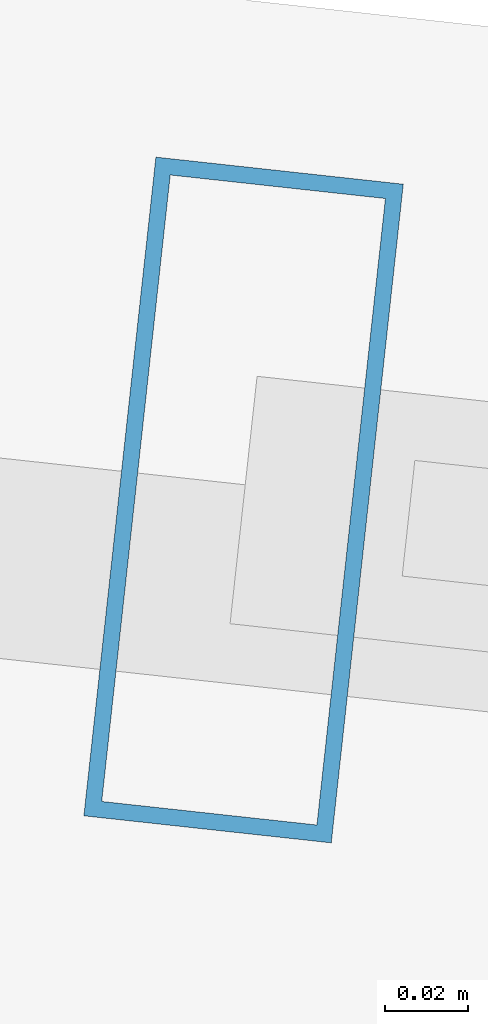
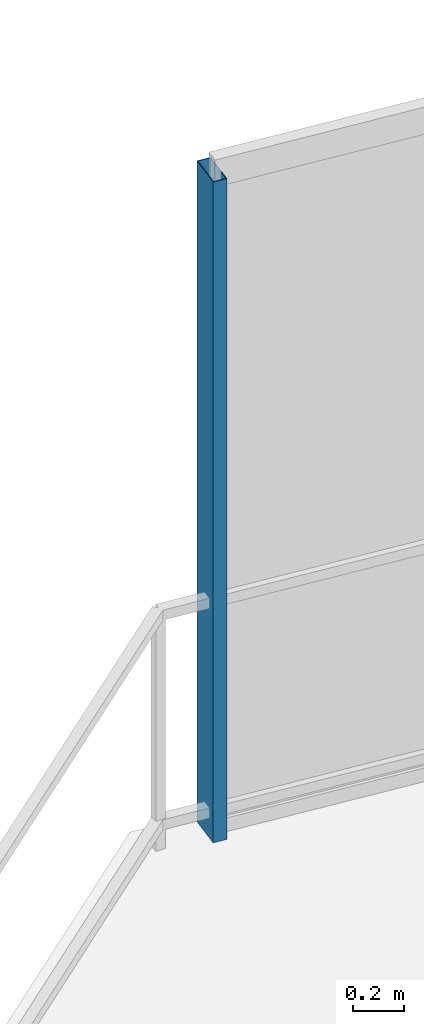
# One storey, part 16 of 28: 1 member, 1 element without a shape of its own.
"""IFC4 building model written with IfcOpenShell, lengths in metres."""

from ifc_helpers import new_model, si_unit, direction, frame, origin, origin_2d, place, context, subcontext, project, spatial, hollow_rectangle, extrude, material, layer, layer_set, material_profile, profile_set, type_object, element, aggregate, save


model = new_model("IFC4")

# Units and contexts
model_context = context("Model", 3, precision=1e-05, world=origin(), true_north=direction((0.0, 1.0)))
body_context = subcontext(model_context, "Body", "Model", "MODEL_VIEW")
ifc_project = project(units=[si_unit("LENGTHUNIT", "METRE"), si_unit("AREAUNIT", "SQUARE_METRE"), si_unit("VOLUMEUNIT", "CUBIC_METRE"), si_unit("PLANEANGLEUNIT", "RADIAN"), si_unit("MASSUNIT", "GRAM", prefix="KILO")], contexts=[model_context])

# Site, building, storey
site_placement = place(None, origin())
site = spatial("IfcSite", under=ifc_project, at=site_placement, CompositionType="ELEMENT")
building_placement = place(site_placement, origin())
building = spatial("IfcBuilding", under=site, at=building_placement, Name="Qarnah Convention Tower", CompositionType="ELEMENT")
storey_placement = place(building_placement, frame((0.0, 0.0, 44.25)))
storey = spatial("IfcBuildingStorey", under=building, at=storey_placement, Name="L10", CompositionType="ELEMENT", Elevation=44.25)

# Curtain wall, member
ifc_material_1 = material(Name="Tempered Low-E dark glass", Category="glass")
ifc_layer = layer(ifc_material_1, 0.16796875)
ifc_layer_set = layer_set([ifc_layer], Name="Tempered Low-E dark glass")
curtain_wall_type = type_object("IfcCurtainWallType", Name="CWS-01", PredefinedType="NOTDEFINED", material=ifc_layer_set)
curtain_wall_placement = place(storey_placement, origin())
curtain_wall = element("IfcCurtainWall", 1, at=curtain_wall_placement, inside=storey, type_object=curtain_wall_type, Name="L10 unitised curtain wall CW-L10-F2", PredefinedType="NOTDEFINED")
ifc_material_2 = material(Name="Black anodised aluminium", Category="aluminium")
ifc_material_profile = material_profile(ifc_material_2, hollow_rectangle(XDim=0.06005859375, YDim=0.159912109375, WallThickness=0.00390625, at=origin_2d()), Name="MUL-60X160")
ifc_profile_set = profile_set([ifc_material_profile], Name="Black anodised aluminium")
member_type = type_object("IfcMemberType", Name="MUL-T1", PredefinedType="MULLION", material=ifc_profile_set)
member_placement = place(storey_placement, frame((22.927978515625, 46.7060546875, 0.0), z_axis=(0.0, 0.0, 1.0), x_axis=(0.994075669195, -0.108690219954, 0.0)))
member = element("IfcMember", 2, at=member_placement, type_object=member_type, Name="CW-L10-F2 mullion 1", PredefinedType="MULLION", context=body_context, shape_type="SweptSolid", body=[
    extrude(hollow_rectangle(XDim=0.06005859375, YDim=0.159912109375, WallThickness=0.00390625, at=origin_2d()), origin(), (0.0, 0.0, 1.0), 3.169921875),
])
aggregate(curtain_wall, [member])

save(model, "model.ifc")
